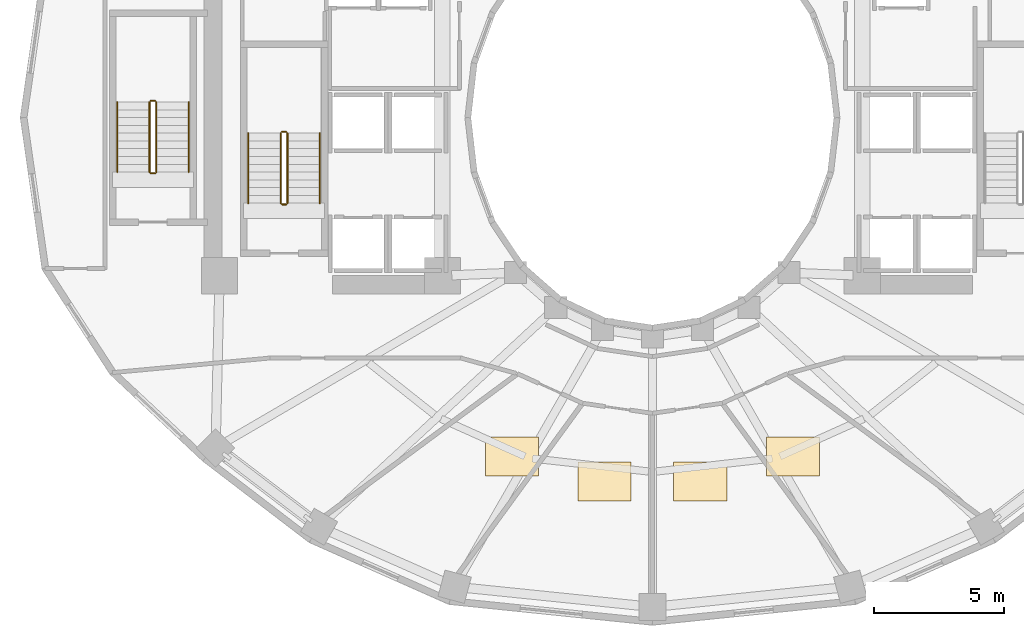
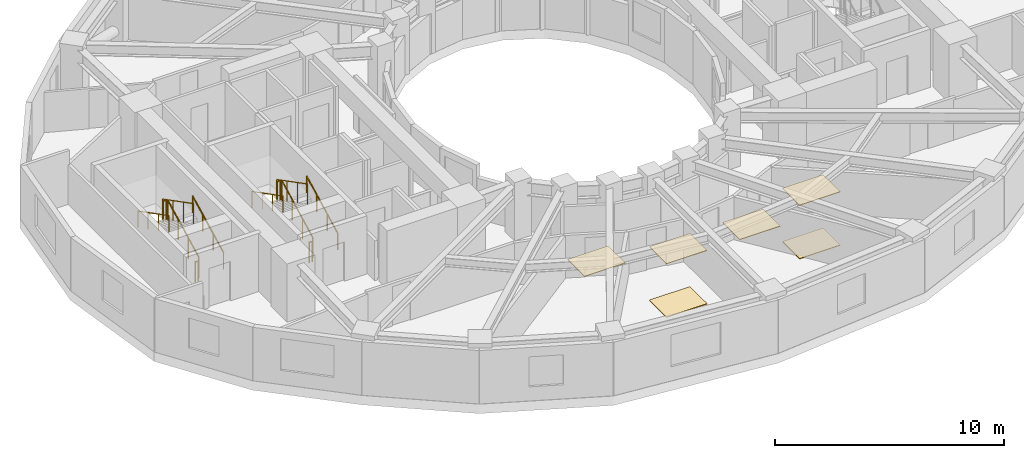
# One storey, part 8 of 9: 12 railings, 6 coverings.
"""IFC4 building model written with IfcOpenShell, lengths in metres."""

from ifc_helpers import new_model, si_unit, direction, frame, origin, origin_2d, place, context, subcontext, project, spatial, polyline, circle, outline, extrude, material, layer, layer_set, type_object, element, save


model = new_model("IFC4")

# Units and contexts
model_context = context("Model", 3, precision=1e-05, world=origin(), true_north=direction((0.0, 1.0)))
body_context = subcontext(model_context, "Body", "Model", "MODEL_VIEW")
ifc_project = project(units=[si_unit("LENGTHUNIT", "METRE"), si_unit("AREAUNIT", "SQUARE_METRE"), si_unit("VOLUMEUNIT", "CUBIC_METRE"), si_unit("PLANEANGLEUNIT", "RADIAN"), si_unit("MASSUNIT", "GRAM", prefix="KILO")], contexts=[model_context])

# Site, building, storey
site_placement = place(None, origin())
site = spatial("IfcSite", under=ifc_project, at=site_placement, CompositionType="ELEMENT")
building_placement = place(site_placement, origin())
building = spatial("IfcBuilding", under=site, at=building_placement, Name="Solvane Sanctuary Tower", CompositionType="ELEMENT")
storey_placement = place(building_placement, frame((0.0, 0.0, 104.199951171875)))
storey = spatial("IfcBuildingStorey", under=building, at=storey_placement, Name="L31", CompositionType="ELEMENT", Elevation=104.199951171875)

# Coverings
ifc_material_1 = material(Name="Acoustic Gypsum Partition Board")
ifc_layer_1 = layer(ifc_material_1, 0.02490234375, Name="Acoustic Gypsum Partition Board")
ifc_layer_set_1 = layer_set([ifc_layer_1], Name="Acoustic Gypsum Partition Board")
covering_type_1 = type_object("IfcCoveringType", Name="Covering CLG-ACOUST", PredefinedType="CEILING", material=ifc_layer_set_1)
covering_1_placement = place(storey_placement, frame((0.0, 0.0, 2.85009765625)))
element("IfcCovering", 1, at=covering_1_placement, inside=storey, type_object=covering_type_1, Name="L31 Unit Acoustic Ceiling Panel 5", PredefinedType="CEILING", context=body_context, shape_type="SweptSolid", body=[
    extrude(outline(polyline([(25.555908203125, 9.16796875), (27.60595703125, 9.16796875), (27.60595703125, 10.66796875), (25.555908203125, 10.66796875), (25.555908203125, 9.16796875)])), origin(), (0.0, 0.0, 1.0), 0.030029296875),
])
covering_2_placement = place(storey_placement, frame((0.0, 0.0, 2.85009765625)))
element("IfcCovering", 2, at=covering_2_placement, inside=storey, type_object=covering_type_1, Name="L31 Unit Acoustic Ceiling Panel 6", PredefinedType="CEILING", context=body_context, shape_type="SweptSolid", body=[
    extrude(outline(polyline([(29.126953125, 8.2109375), (31.177001953125, 8.2109375), (31.177001953125, 9.7109375), (29.126953125, 9.7109375), (29.126953125, 8.2109375)])), origin(), (0.0, 0.0, 1.0), 0.030029296875),
])
covering_3_placement = place(storey_placement, frame((0.0, 0.0, 2.85009765625)))
element("IfcCovering", 3, at=covering_3_placement, inside=storey, type_object=covering_type_1, Name="L31 Unit Acoustic Ceiling Panel 7", PredefinedType="CEILING", context=body_context, shape_type="SweptSolid", body=[
    extrude(outline(polyline([(32.822998046875, 8.2109375), (34.873046875, 8.2109375), (34.873046875, 9.7109375), (32.822998046875, 9.7109375), (32.822998046875, 8.2109375)])), origin(), (0.0, 0.0, 1.0), 0.030029296875),
])
covering_4_placement = place(storey_placement, frame((0.0, 0.0, 2.85009765625)))
element("IfcCovering", 4, at=covering_4_placement, inside=storey, type_object=covering_type_1, Name="L31 Unit Acoustic Ceiling Panel 8", PredefinedType="CEILING", context=body_context, shape_type="SweptSolid", body=[
    extrude(outline(polyline([(36.39404296875, 9.16796875), (38.444091796875, 9.16796875), (38.444091796875, 10.66796875), (36.39404296875, 10.66796875), (36.39404296875, 9.16796875)])), origin(), (0.0, 0.0, 1.0), 0.030029296875),
])
ifc_material_2 = material(Name="Ceramic Tile Finish")
ifc_layer_2 = layer(ifc_material_2, 0.030029296875, Name="Ceramic Tile Finish")
ifc_layer_set_2 = layer_set([ifc_layer_2], Name="Ceramic Tile Finish")
covering_type_2 = type_object("IfcCoveringType", Name="Covering FLR-TERRAZZO", PredefinedType="FLOORING", material=ifc_layer_set_2)
covering_5_placement = place(storey_placement, origin())
element("IfcCovering", 5, at=covering_5_placement, inside=storey, type_object=covering_type_2, Name="L31 Unit Terrazzo Inlay 6", PredefinedType="FLOORING", context=body_context, shape_type="SweptSolid", body=[
    extrude(outline(polyline([(29.126953125, 8.2109375), (31.177001953125, 8.2109375), (31.177001953125, 9.7109375), (29.126953125, 9.7109375), (29.126953125, 8.2109375)])), origin(), (0.0, 0.0, 1.0), 0.03515625),
])
covering_6_placement = place(storey_placement, origin())
element("IfcCovering", 6, at=covering_6_placement, inside=storey, type_object=covering_type_2, Name="L31 Unit Terrazzo Inlay 8", PredefinedType="FLOORING", context=body_context, shape_type="SweptSolid", body=[
    extrude(outline(polyline([(36.39404296875, 9.16796875), (38.444091796875, 9.16796875), (38.444091796875, 10.66796875), (36.39404296875, 10.66796875), (36.39404296875, 9.16796875)])), origin(), (0.0, 0.0, 1.0), 0.03515625),
])

# Railings
ifc_material_3 = material(Name="Architectural Stainless Steel 316", Category="steel")
railing_type_1 = type_object("IfcRailingType", Name="Railing GR-BALC-1150", PredefinedType="BALUSTRADE", material=ifc_material_3)
railing_1_placement = place(storey_placement, frame((17.919921875, 19.699951171875, 0.155029296875)))
element("IfcRailing", 7, at=railing_1_placement, inside=storey, type_object=railing_type_1, Name="L31 ST-1 stair guard 1", PredefinedType="BALUSTRADE", context=body_context, shape_type="SweptSolid", body=[
    extrude(circle(Radius=0.02392578125, at=origin_2d()), frame((0.0, 0.0, 1.076171875), z_axis=(0.0, 0.888419900624, 0.459031676658), x_axis=(-1.0, 0.0, 0.0)), (0.0, 0.0, 1.0), 3.0390625),
    extrude(circle(Radius=0.02099609375, at=origin_2d()), origin(), (0.0, 0.0, 1.0), 1.052001953125),
    extrude(circle(Radius=0.02099609375, at=origin_2d()), frame((0.0, 0.89990234375, 0.465087890625)), (0.0, 0.0, 1.0), 1.052001953125),
    extrude(circle(Radius=0.02099609375, at=origin_2d()), frame((0.0, 1.800048828125, 0.929931640625)), (0.0, 0.0, 1.0), 1.052001953125),
    extrude(circle(Radius=0.02099609375, at=origin_2d()), frame((0.0, 2.699951171875, 1.39501953125)), (0.0, 0.0, 1.0), 1.052001953125),
])
railing_2_placement = place(storey_placement, frame((17.8701171875, 22.449951171875, 1.550048828125)))
element("IfcRailing", 8, at=railing_2_placement, inside=storey, type_object=railing_type_1, Name="L31 ST-1 stair guard 2", PredefinedType="BALUSTRADE", context=body_context, shape_type="SweptSolid", body=[
    extrude(circle(Radius=0.02392578125, at=origin_2d()), frame((0.0, 0.0, 1.076171875), z_axis=(-1.0, 0.0, 0.0), x_axis=(0.0, -1.0, 0.0)), (0.0, 0.0, 1.0), 0.16015625),
    extrude(circle(Radius=0.02099609375, at=origin_2d()), origin(), (0.0, 0.0, 1.0), 1.052001953125),
    extrude(circle(Radius=0.02099609375, at=origin_2d()), frame((-0.16015625, 0.0, 0.0)), (0.0, 0.0, 1.0), 1.052001953125),
])
railing_3_placement = place(storey_placement, frame((17.659912109375, 22.39990234375, 1.705078125)))
element("IfcRailing", 9, at=railing_3_placement, inside=storey, type_object=railing_type_1, Name="L31 ST-1 stair guard 3", PredefinedType="BALUSTRADE", context=body_context, shape_type="SweptSolid", body=[
    extrude(circle(Radius=0.02392578125, at=origin_2d()), frame((0.0, 0.0, 1.076171875), z_axis=(0.0, -0.888419900624, 0.459031676658), x_axis=(1.0, 0.0, 0.0)), (0.0, 0.0, 1.0), 3.0390625),
    extrude(circle(Radius=0.02099609375, at=origin_2d()), origin(), (0.0, 0.0, 1.0), 1.052001953125),
    extrude(circle(Radius=0.02099609375, at=origin_2d()), frame((0.0, -0.89990234375, 0.465087890625)), (0.0, 0.0, 1.0), 1.052001953125),
    extrude(circle(Radius=0.02099609375, at=origin_2d()), frame((0.0, -1.800048828125, 0.929931640625)), (0.0, 0.0, 1.0), 1.052001953125),
    extrude(circle(Radius=0.02099609375, at=origin_2d()), frame((0.0, -2.699951171875, 1.39501953125)), (0.0, 0.0, 1.0), 1.052001953125),
])
railing_4_placement = place(storey_placement, frame((17.8701171875, 19.64990234375, 0.0)))
element("IfcRailing", 10, at=railing_4_placement, inside=storey, type_object=railing_type_1, Name="L31 ST-1 stair guard 4", PredefinedType="BALUSTRADE", context=body_context, shape_type="SweptSolid", body=[
    extrude(circle(Radius=0.02392578125, at=origin_2d()), frame((0.0, 0.0, 1.076171875), z_axis=(-1.0, 0.0, 0.0), x_axis=(0.0, -1.0, 0.0)), (0.0, 0.0, 1.0), 0.16015625),
    extrude(circle(Radius=0.02099609375, at=origin_2d()), origin(), (0.0, 0.0, 1.0), 1.052001953125),
    extrude(circle(Radius=0.02099609375, at=origin_2d()), frame((-0.16015625, 0.0, 0.0)), (0.0, 0.0, 1.0), 1.052001953125),
])
railing_5_placement = place(storey_placement, frame((12.860107421875, 20.89990234375, 0.155029296875)))
element("IfcRailing", 11, at=railing_5_placement, inside=storey, type_object=railing_type_1, Name="L31 ST-3 stair guard 1", PredefinedType="BALUSTRADE", context=body_context, shape_type="SweptSolid", body=[
    extrude(circle(Radius=0.02392578125, at=origin_2d()), frame((0.0, 0.0, 1.076171875), z_axis=(0.0, 0.888436826113, 0.458998917216), x_axis=(-1.0, 0.0, 0.0)), (0.0, 0.0, 1.0), 3.039306640625),
    extrude(circle(Radius=0.02099609375, at=origin_2d()), origin(), (0.0, 0.0, 1.0), 1.052001953125),
    extrude(circle(Radius=0.02099609375, at=origin_2d()), frame((0.0, 0.900146484375, 0.465087890625)), (0.0, 0.0, 1.0), 1.052001953125),
    extrude(circle(Radius=0.02099609375, at=origin_2d()), frame((0.0, 1.800048828125, 0.929931640625)), (0.0, 0.0, 1.0), 1.052001953125),
    extrude(circle(Radius=0.02099609375, at=origin_2d()), frame((0.0, 2.7001953125, 1.39501953125)), (0.0, 0.0, 1.0), 1.052001953125),
])
railing_6_placement = place(storey_placement, frame((12.81005859375, 23.64990234375, 1.550048828125)))
element("IfcRailing", 12, at=railing_6_placement, inside=storey, type_object=railing_type_1, Name="L31 ST-3 stair guard 2", PredefinedType="BALUSTRADE", context=body_context, shape_type="SweptSolid", body=[
    extrude(circle(Radius=0.02392578125, at=origin_2d()), frame((0.0, 0.0, 1.076171875), z_axis=(-1.0, 0.0, 0.0), x_axis=(0.0, -1.0, 0.0)), (0.0, 0.0, 1.0), 0.16015625),
    extrude(circle(Radius=0.02099609375, at=origin_2d()), origin(), (0.0, 0.0, 1.0), 1.052001953125),
    extrude(circle(Radius=0.02099609375, at=origin_2d()), frame((-0.16015625, 0.0, 0.0)), (0.0, 0.0, 1.0), 1.052001953125),
])
railing_7_placement = place(storey_placement, frame((12.60009765625, 23.60009765625, 1.705078125)))
element("IfcRailing", 13, at=railing_7_placement, inside=storey, type_object=railing_type_1, Name="L31 ST-3 stair guard 3", PredefinedType="BALUSTRADE", context=body_context, shape_type="SweptSolid", body=[
    extrude(circle(Radius=0.02392578125, at=origin_2d()), frame((0.0, 0.0, 1.076171875), z_axis=(0.0, -0.888436826113, 0.458998917216), x_axis=(1.0, 0.0, 0.0)), (0.0, 0.0, 1.0), 3.039306640625),
    extrude(circle(Radius=0.02099609375, at=origin_2d()), origin(), (0.0, 0.0, 1.0), 1.052001953125),
    extrude(circle(Radius=0.02099609375, at=origin_2d()), frame((0.0, -0.900146484375, 0.465087890625)), (0.0, 0.0, 1.0), 1.052001953125),
    extrude(circle(Radius=0.02099609375, at=origin_2d()), frame((0.0, -1.800048828125, 0.929931640625)), (0.0, 0.0, 1.0), 1.052001953125),
    extrude(circle(Radius=0.02099609375, at=origin_2d()), frame((0.0, -2.7001953125, 1.39501953125)), (0.0, 0.0, 1.0), 1.052001953125),
])
railing_8_placement = place(storey_placement, frame((12.81005859375, 20.85009765625, 0.0)))
element("IfcRailing", 14, at=railing_8_placement, inside=storey, type_object=railing_type_1, Name="L31 ST-3 stair guard 4", PredefinedType="BALUSTRADE", context=body_context, shape_type="SweptSolid", body=[
    extrude(circle(Radius=0.02392578125, at=origin_2d()), frame((0.0, 0.0, 1.076171875), z_axis=(-1.0, 0.0, 0.0), x_axis=(0.0, -1.0, 0.0)), (0.0, 0.0, 1.0), 0.16015625),
    extrude(circle(Radius=0.02099609375, at=origin_2d()), origin(), (0.0, 0.0, 1.0), 1.052001953125),
    extrude(circle(Radius=0.02099609375, at=origin_2d()), frame((-0.16015625, 0.0, 0.0)), (0.0, 0.0, 1.0), 1.052001953125),
])
railing_type_2 = type_object("IfcRailingType", Name="Railing HR-STAIR-920", PredefinedType="HANDRAIL", material=ifc_material_3)
railing_9_placement = place(storey_placement, frame((19.169921875, 19.699951171875, 0.155029296875)))
element("IfcRailing", 15, at=railing_9_placement, inside=storey, type_object=railing_type_2, Name="L31 ST-1 stair handrail 1", PredefinedType="HANDRAIL", context=body_context, shape_type="SweptSolid", body=[
    extrude(circle(Radius=0.02392578125, at=origin_2d()), frame((0.0, 0.0, 0.8759765625), z_axis=(0.0, 0.888419900624, 0.459031676658), x_axis=(-1.0, 0.0, 0.0)), (0.0, 0.0, 1.0), 3.0390625),
    extrude(circle(Radius=0.02099609375, at=origin_2d()), origin(), (0.0, 0.0, 1.0), 0.851806640625),
    extrude(circle(Radius=0.02099609375, at=origin_2d()), frame((0.0, 0.89990234375, 0.465087890625)), (0.0, 0.0, 1.0), 0.851806640625),
    extrude(circle(Radius=0.02099609375, at=origin_2d()), frame((0.0, 1.800048828125, 0.929931640625)), (0.0, 0.0, 1.0), 0.851806640625),
    extrude(circle(Radius=0.02099609375, at=origin_2d()), frame((0.0, 2.699951171875, 1.39501953125)), (0.0, 0.0, 1.0), 0.851806640625),
])
railing_10_placement = place(storey_placement, frame((16.409912109375, 22.39990234375, 1.705078125)))
element("IfcRailing", 16, at=railing_10_placement, inside=storey, type_object=railing_type_2, Name="L31 ST-1 stair handrail 2", PredefinedType="HANDRAIL", context=body_context, shape_type="SweptSolid", body=[
    extrude(circle(Radius=0.02392578125, at=origin_2d()), frame((0.0, 0.0, 0.8759765625), z_axis=(0.0, -0.888419900624, 0.459031676658), x_axis=(1.0, 0.0, 0.0)), (0.0, 0.0, 1.0), 3.0390625),
    extrude(circle(Radius=0.02099609375, at=origin_2d()), origin(), (0.0, 0.0, 1.0), 0.851806640625),
    extrude(circle(Radius=0.02099609375, at=origin_2d()), frame((0.0, -0.89990234375, 0.465087890625)), (0.0, 0.0, 1.0), 0.851806640625),
    extrude(circle(Radius=0.02099609375, at=origin_2d()), frame((0.0, -1.800048828125, 0.929931640625)), (0.0, 0.0, 1.0), 0.851806640625),
    extrude(circle(Radius=0.02099609375, at=origin_2d()), frame((0.0, -2.699951171875, 1.39501953125)), (0.0, 0.0, 1.0), 0.851806640625),
])
railing_11_placement = place(storey_placement, frame((14.110107421875, 20.89990234375, 0.155029296875)))
element("IfcRailing", 17, at=railing_11_placement, inside=storey, type_object=railing_type_2, Name="L31 ST-3 stair handrail 1", PredefinedType="HANDRAIL", context=body_context, shape_type="SweptSolid", body=[
    extrude(circle(Radius=0.02392578125, at=origin_2d()), frame((0.0, 0.0, 0.8759765625), z_axis=(0.0, 0.888436826113, 0.458998917216), x_axis=(-1.0, 0.0, 0.0)), (0.0, 0.0, 1.0), 3.039306640625),
    extrude(circle(Radius=0.02099609375, at=origin_2d()), origin(), (0.0, 0.0, 1.0), 0.851806640625),
    extrude(circle(Radius=0.02099609375, at=origin_2d()), frame((0.0, 0.900146484375, 0.465087890625)), (0.0, 0.0, 1.0), 0.851806640625),
    extrude(circle(Radius=0.02099609375, at=origin_2d()), frame((0.0, 1.800048828125, 0.929931640625)), (0.0, 0.0, 1.0), 0.851806640625),
    extrude(circle(Radius=0.02099609375, at=origin_2d()), frame((0.0, 2.7001953125, 1.39501953125)), (0.0, 0.0, 1.0), 0.851806640625),
])
railing_12_placement = place(storey_placement, frame((11.35009765625, 23.60009765625, 1.705078125)))
element("IfcRailing", 18, at=railing_12_placement, inside=storey, type_object=railing_type_2, Name="L31 ST-3 stair handrail 2", PredefinedType="HANDRAIL", context=body_context, shape_type="SweptSolid", body=[
    extrude(circle(Radius=0.02392578125, at=origin_2d()), frame((0.0, 0.0, 0.8759765625), z_axis=(0.0, -0.888436826113, 0.458998917216), x_axis=(1.0, 0.0, 0.0)), (0.0, 0.0, 1.0), 3.039306640625),
    extrude(circle(Radius=0.02099609375, at=origin_2d()), origin(), (0.0, 0.0, 1.0), 0.851806640625),
    extrude(circle(Radius=0.02099609375, at=origin_2d()), frame((0.0, -0.900146484375, 0.465087890625)), (0.0, 0.0, 1.0), 0.851806640625),
    extrude(circle(Radius=0.02099609375, at=origin_2d()), frame((0.0, -1.800048828125, 0.929931640625)), (0.0, 0.0, 1.0), 0.851806640625),
    extrude(circle(Radius=0.02099609375, at=origin_2d()), frame((0.0, -2.7001953125, 1.39501953125)), (0.0, 0.0, 1.0), 0.851806640625),
])

save(model, "model.ifc")
